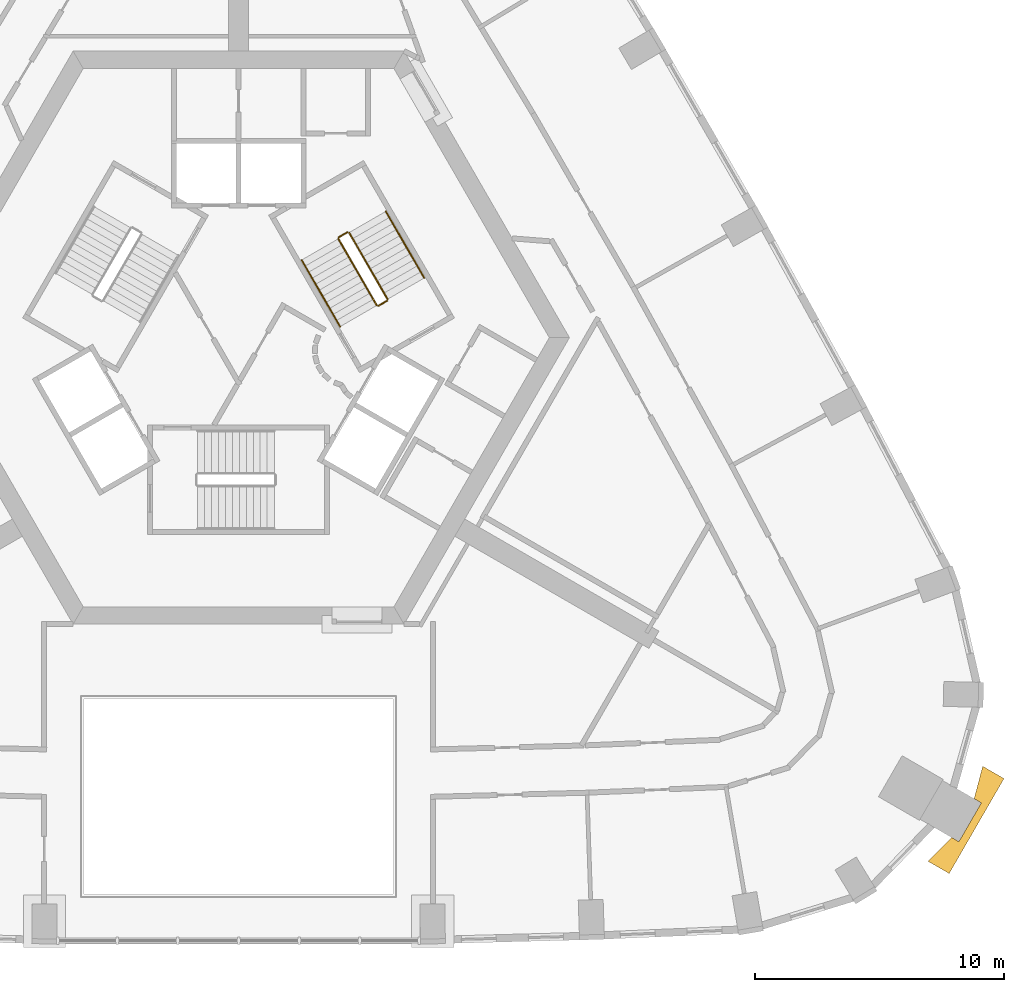
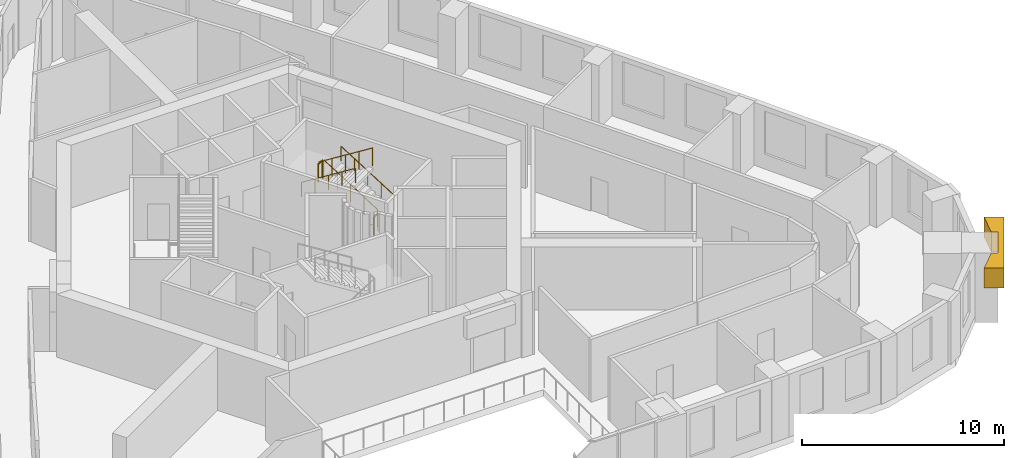
# One storey, part 12 of 13: 6 railings, 1 covering.
"""IFC4 building model written with IfcOpenShell, lengths in metres."""

from ifc_helpers import new_model, si_unit, direction, frame, origin, origin_2d, place, context, subcontext, project, spatial, polyline, circle, outline, extrude, material, type_object, element, save


model = new_model("IFC4")

# Units and contexts
model_context = context("Model", 3, precision=1e-05, world=origin(), true_north=direction((0.0, 1.0)))
body_context = subcontext(model_context, "Body", "Model", "MODEL_VIEW")
ifc_project = project(units=[si_unit("LENGTHUNIT", "METRE"), si_unit("AREAUNIT", "SQUARE_METRE"), si_unit("VOLUMEUNIT", "CUBIC_METRE"), si_unit("PLANEANGLEUNIT", "RADIAN"), si_unit("MASSUNIT", "GRAM", prefix="KILO")], contexts=[model_context])

# Site, building, storey
site_placement = place(None, origin())
site = spatial("IfcSite", under=ifc_project, at=site_placement, CompositionType="ELEMENT")
building_placement = place(site_placement, origin())
building = spatial("IfcBuilding", under=site, at=building_placement, Name="Entoto Arch Interchange Tower", CompositionType="ELEMENT")
storey_placement = place(building_placement, frame((0.0, 0.0, 198.199951171875)))
storey = spatial("IfcBuildingStorey", under=building, at=storey_placement, Name="L44", CompositionType="ELEMENT", Elevation=198.199951171875)

# Covering
ifc_material_1 = material(Name="Board-marked precast concrete C50/60", Category="concrete")
covering_type = type_object("IfcCoveringType", Name="PRECAST FRAME COURSE", PredefinedType="CLADDING", material=ifc_material_1)
covering_placement = place(storey_placement, frame((0.0, 0.0, 2.60009765625)))
element("IfcCovering", 1, at=covering_placement, inside=storey, type_object=covering_type, Name="Corner pilaster head SE L42-L44", PredefinedType="CLADDING", context=body_context, shape_type="SweptSolid", body=[
    extrude(outline(polyline([(30.718017578125, -15.195068359375), (28.51806640625, -19.0048828125), (27.6630859375, -18.510986328125), (28.6220703125, -17.56396484375), (28.907958984375, -17.72900390625), (29.80810546875, -16.1708984375), (29.52099609375, -16.0048828125), (29.863037109375, -14.700927734375), (30.718017578125, -15.195068359375)])), origin(), (0.0, 0.0, 1.0), 1.199951171875),
])

# Railings
ifc_material_2 = material(Name="Stainless steel 1.4301", Category="steel")
railing_type_1 = type_object("IfcRailingType", Name="STAIR GUARD 1100 STEEL", PredefinedType="GUARDRAIL", material=ifc_material_2)
railing_1_placement = place(storey_placement, frame((5.977783203125, 4.046142578125, 0.175048828125)))
element("IfcRailing", 2, at=railing_1_placement, inside=storey, type_object=railing_type_1, Name="L44 ST-NE stair guard 1", PredefinedType="GUARDRAIL", context=body_context, shape_type="SweptSolid", body=[
    extrude(circle(Radius=0.02392578125, at=origin_2d()), frame((0.0, 0.0, 1.076171875), z_axis=(-0.424015404183, 0.734364028329, 0.530019255228), x_axis=(-0.866010015463, -0.500026652407, 0.0)), (0.0, 0.0, 1.0), 3.632080078125),
    extrude(circle(Radius=0.02099609375, at=origin_2d()), origin(), (0.0, 0.0, 1.0), 1.052001953125),
    extrude(circle(Radius=0.02099609375, at=origin_2d()), frame((-0.385009765625, 0.666748046875, 0.481201171875)), (0.0, 0.0, 1.0), 1.052001953125),
    extrude(circle(Radius=0.02099609375, at=origin_2d()), frame((-0.77001953125, 1.33349609375, 0.96240234375)), (0.0, 0.0, 1.0), 1.052001953125),
    extrude(circle(Radius=0.02099609375, at=origin_2d()), frame((-1.155029296875, 2.00048828125, 1.44384765625)), (0.0, 0.0, 1.0), 1.052001953125),
    extrude(circle(Radius=0.02099609375, at=origin_2d()), frame((-1.5400390625, 2.667236328125, 1.925048828125)), (0.0, 0.0, 1.0), 1.052001953125),
])
railing_2_placement = place(storey_placement, frame((4.36962890625, 6.731689453125, 2.10009765625)))
element("IfcRailing", 3, at=railing_2_placement, inside=storey, type_object=railing_type_1, Name="L44 ST-NE stair guard 2", PredefinedType="GUARDRAIL", context=body_context, shape_type="SweptSolid", body=[
    extrude(circle(Radius=0.02392578125, at=origin_2d()), frame((0.0, 0.0, 1.076171875), z_axis=(-0.866094119867, -0.499880961361, 0.0), x_axis=(0.499880961361, -0.866094119867, 0.0)), (0.0, 0.0, 1.0), 0.39990234375),
    extrude(circle(Radius=0.02099609375, at=origin_2d()), origin(), (0.0, 0.0, 1.0), 1.052001953125),
    extrude(circle(Radius=0.02099609375, at=origin_2d()), frame((-0.346435546875, -0.199951171875, 0.0)), (0.0, 0.0, 1.0), 1.052001953125),
])
railing_3_placement = place(storey_placement, frame((4.0048828125, 6.46337890625, 2.275146484375)))
element("IfcRailing", 4, at=railing_3_placement, inside=storey, type_object=railing_type_1, Name="L44 ST-NE stair guard 3", PredefinedType="GUARDRAIL", context=body_context, shape_type="SweptSolid", body=[
    extrude(circle(Radius=0.02392578125, at=origin_2d()), frame((0.0, 0.0, 1.076171875), z_axis=(0.42403051051, -0.734390191396, 0.529970917068), x_axis=(0.866010015463, 0.500026652407, 0.0)), (0.0, 0.0, 1.0), 3.6318359375),
    extrude(circle(Radius=0.02099609375, at=origin_2d()), origin(), (0.0, 0.0, 1.0), 1.052001953125),
    extrude(circle(Radius=0.02099609375, at=origin_2d()), frame((0.385009765625, -0.666748046875, 0.481201171875)), (0.0, 0.0, 1.0), 1.052001953125),
    extrude(circle(Radius=0.02099609375, at=origin_2d()), frame((0.77001953125, -1.33349609375, 0.96240234375)), (0.0, 0.0, 1.0), 1.052001953125),
    extrude(circle(Radius=0.02099609375, at=origin_2d()), frame((1.155029296875, -2.00048828125, 1.443603515625)), (0.0, 0.0, 1.0), 1.052001953125),
    extrude(circle(Radius=0.02099609375, at=origin_2d()), frame((1.5400390625, -2.667236328125, 1.9248046875)), (0.0, 0.0, 1.0), 1.052001953125),
])
railing_4_placement = place(storey_placement, frame((5.95947265625, 3.977783203125, 0.0)))
element("IfcRailing", 5, at=railing_4_placement, inside=storey, type_object=railing_type_1, Name="L44 ST-NE stair guard 4", PredefinedType="GUARDRAIL", context=body_context, shape_type="SweptSolid", body=[
    extrude(circle(Radius=0.02392578125, at=origin_2d()), frame((0.0, 0.0, 1.076171875), z_axis=(-0.866094119867, -0.499880961361, 0.0), x_axis=(0.499880961361, -0.866094119867, 0.0)), (0.0, 0.0, 1.0), 0.39990234375),
    extrude(circle(Radius=0.02099609375, at=origin_2d()), origin(), (0.0, 0.0, 1.0), 1.052001953125),
    extrude(circle(Radius=0.02099609375, at=origin_2d()), frame((-0.346435546875, -0.199951171875, 0.0)), (0.0, 0.0, 1.0), 1.052001953125),
])
railing_type_2 = type_object("IfcRailingType", Name="STAIR HANDRAIL 900 STEEL", PredefinedType="HANDRAIL", material=ifc_material_2)
railing_5_placement = place(storey_placement, frame((7.4501953125, 4.89599609375, 0.175048828125)))
element("IfcRailing", 6, at=railing_5_placement, inside=storey, type_object=railing_type_2, Name="L44 ST-NE stair handrail 1", PredefinedType="HANDRAIL", context=body_context, shape_type="SweptSolid", body=[
    extrude(circle(Radius=0.02392578125, at=origin_2d()), frame((0.0, 0.0, 0.8759765625), z_axis=(-0.423994474112, 0.734394994316, 0.52999309264), x_axis=(-0.866029832698, -0.499992328818, 0.0)), (0.0, 0.0, 1.0), 3.63232421875),
    extrude(circle(Radius=0.02099609375, at=origin_2d()), origin(), (0.0, 0.0, 1.0), 0.851806640625),
    extrude(circle(Radius=0.02099609375, at=origin_2d()), frame((-0.385009765625, 0.6669921875, 0.481201171875)), (0.0, 0.0, 1.0), 0.851806640625),
    extrude(circle(Radius=0.02099609375, at=origin_2d()), frame((-0.77001953125, 1.333740234375, 0.96240234375)), (0.0, 0.0, 1.0), 0.851806640625),
    extrude(circle(Radius=0.02099609375, at=origin_2d()), frame((-1.155029296875, 2.00048828125, 1.44384765625)), (0.0, 0.0, 1.0), 0.851806640625),
    extrude(circle(Radius=0.02099609375, at=origin_2d()), frame((-1.5400390625, 2.66748046875, 1.925048828125)), (0.0, 0.0, 1.0), 0.851806640625),
])
railing_6_placement = place(storey_placement, frame((2.53271484375, 5.613525390625, 2.275146484375)))
element("IfcRailing", 7, at=railing_6_placement, inside=storey, type_object=railing_type_2, Name="L44 ST-NE stair handrail 2", PredefinedType="HANDRAIL", context=body_context, shape_type="SweptSolid", body=[
    extrude(circle(Radius=0.02392578125, at=origin_2d()), frame((0.0, 0.0, 0.8759765625), z_axis=(0.423954442778, -0.734442086855, 0.52995985839), x_axis=(0.866064153644, 0.499932877268, 0.0)), (0.0, 0.0, 1.0), 3.632080078125),
    extrude(circle(Radius=0.02099609375, at=origin_2d()), origin(), (0.0, 0.0, 1.0), 0.851806640625),
    extrude(circle(Radius=0.02099609375, at=origin_2d()), frame((0.385009765625, -0.6669921875, 0.481201171875)), (0.0, 0.0, 1.0), 0.851806640625),
    extrude(circle(Radius=0.02099609375, at=origin_2d()), frame((0.77001953125, -1.333740234375, 0.96240234375)), (0.0, 0.0, 1.0), 0.851806640625),
    extrude(circle(Radius=0.02099609375, at=origin_2d()), frame((1.15478515625, -2.00048828125, 1.443603515625)), (0.0, 0.0, 1.0), 0.851806640625),
    extrude(circle(Radius=0.02099609375, at=origin_2d()), frame((1.539794921875, -2.66748046875, 1.9248046875)), (0.0, 0.0, 1.0), 0.851806640625),
])

save(model, "model.ifc")
